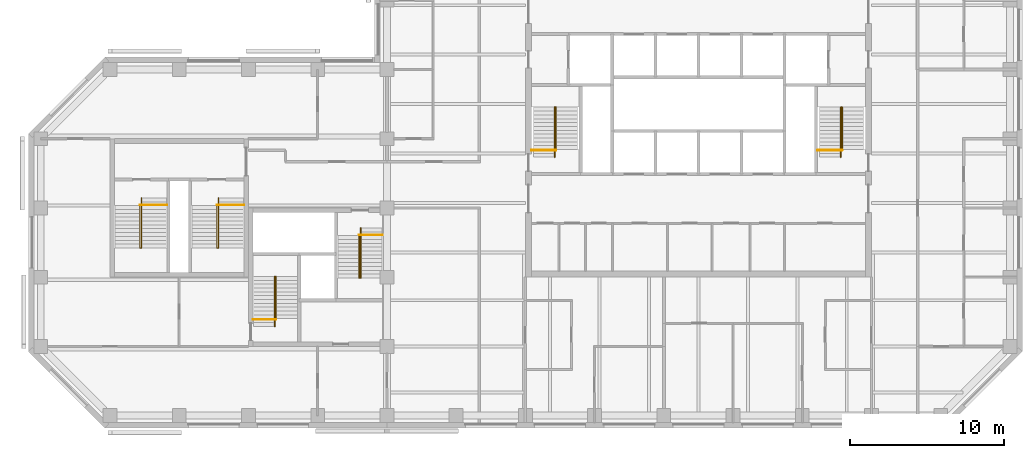
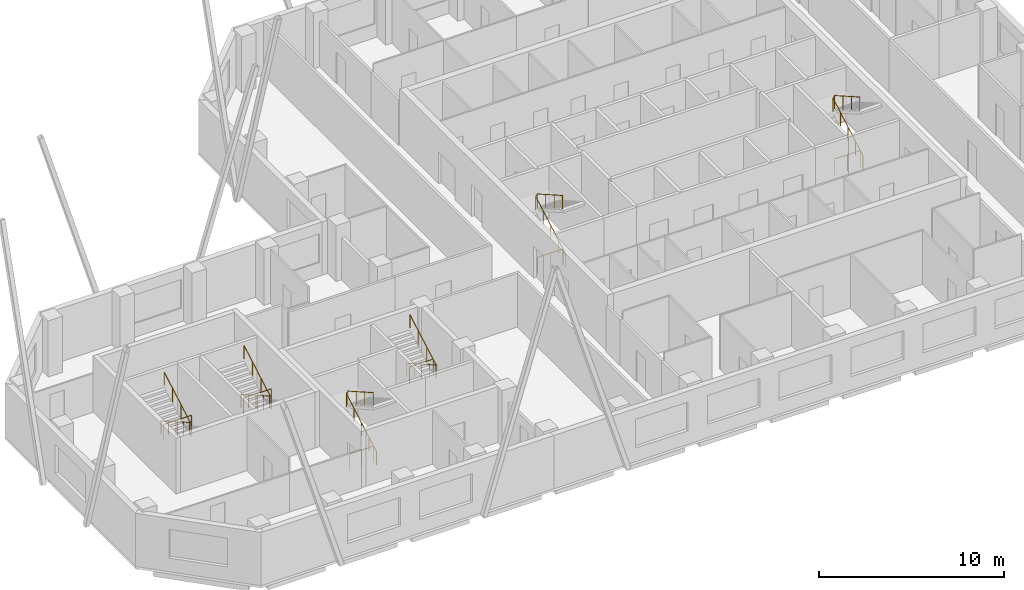
# One storey, part 10 of 10: 12 railings.
"""IFC4 building model written with IfcOpenShell, lengths in metres."""

from ifc_helpers import new_model, si_unit, direction, frame, origin, origin_2d, place, context, subcontext, project, spatial, circle, extrude, material, type_object, element, save


model = new_model("IFC4")

# Units and contexts
model_context = context("Model", 3, precision=1e-05, world=origin(), true_north=direction((0.0, 1.0)))
body_context = subcontext(model_context, "Body", "Model", "MODEL_VIEW")
ifc_project = project(units=[si_unit("LENGTHUNIT", "METRE"), si_unit("AREAUNIT", "SQUARE_METRE"), si_unit("VOLUMEUNIT", "CUBIC_METRE"), si_unit("PLANEANGLEUNIT", "RADIAN"), si_unit("MASSUNIT", "GRAM", prefix="KILO")], contexts=[model_context])

# Site, building, storey
site_placement = place(None, origin())
site = spatial("IfcSite", under=ifc_project, at=site_placement, CompositionType="ELEMENT")
building_placement = place(site_placement, origin())
building = spatial("IfcBuilding", under=site, at=building_placement, Name="Quoin Convention Tower", CompositionType="ELEMENT")
storey_placement = place(building_placement, frame((0.0, 0.0, 234.10009765625)))
storey = spatial("IfcBuildingStorey", under=building, at=storey_placement, Name="L61", CompositionType="ELEMENT", Elevation=234.10009765625)

# Railings
ifc_material = material(Name="Stainless steel", Category="steel")
railing_type_1 = type_object("IfcRailingType", Name="Stair handrail 900", PredefinedType="HANDRAIL", material=ifc_material)
railing_1_placement = place(storey_placement, frame((46.905029296875, 57.300048828125, 0.14208984375)))
element("IfcRailing", 1, at=railing_1_placement, inside=storey, type_object=railing_type_1, Name="SD1 handrail 1", PredefinedType="HANDRAIL", context=body_context, shape_type="SweptSolid", body=[
    extrude(circle(Radius=0.02392578125, at=origin_2d()), frame((0.0, 0.0, 0.8759765625), z_axis=(0.0, 0.869053504361, 0.494718108177), x_axis=(-1.0, 0.0, 0.0)), (0.0, 0.0, 1.0), 3.73974609375),
    extrude(circle(Radius=0.02392578125, at=origin_2d()), frame((0.0, 3.25, 2.72607421875), z_axis=(0.53481069233, 0.0, 0.844971906852), x_axis=(0.0, 1.0, 0.0)), (0.0, 0.0, 1.0), 0.16845703125),
    extrude(circle(Radius=0.02392578125, at=origin_2d()), frame((0.090087890625, 3.25, 2.8681640625), z_axis=(0.0, -0.869058607571, 0.494709143443), x_axis=(1.0, 0.0, 0.0)), (0.0, 0.0, 1.0), 3.164306640625),
    extrude(circle(Radius=0.02099609375, at=origin_2d()), origin(), (0.0, 0.0, 1.0), 0.851806640625),
    extrude(circle(Radius=0.02099609375, at=origin_2d()), frame((0.0, 0.8125, 0.46240234375)), (0.0, 0.0, 1.0), 0.851806640625),
    extrude(circle(Radius=0.02099609375, at=origin_2d()), frame((0.0, 1.625, 0.925048828125)), (0.0, 0.0, 1.0), 0.851806640625),
    extrude(circle(Radius=0.02099609375, at=origin_2d()), frame((0.0, 2.4375, 1.3876953125)), (0.0, 0.0, 1.0), 0.851806640625),
    extrude(circle(Radius=0.02099609375, at=origin_2d()), frame((0.0, 3.25, 1.85009765625)), (0.0, 0.0, 1.0), 0.851806640625),
    extrude(circle(Radius=0.02099609375, at=origin_2d()), frame((0.090087890625, 3.25, 1.992431640625)), (0.0, 0.0, 1.0), 0.851806640625),
    extrude(circle(Radius=0.02099609375, at=origin_2d()), frame((0.090087890625, 2.333251953125, 2.51416015625)), (0.0, 0.0, 1.0), 0.851806640625),
    extrude(circle(Radius=0.02099609375, at=origin_2d()), frame((0.090087890625, 1.416748046875, 3.0361328125)), (0.0, 0.0, 1.0), 0.851806640625),
    extrude(circle(Radius=0.02099609375, at=origin_2d()), frame((0.090087890625, 0.5, 3.557861328125)), (0.0, 0.0, 1.0), 0.851806640625),
])
railing_2_placement = place(storey_placement, frame((65.5048828125, 57.300048828125, 0.14208984375)))
element("IfcRailing", 2, at=railing_2_placement, inside=storey, type_object=railing_type_1, Name="SD2 handrail 1", PredefinedType="HANDRAIL", context=body_context, shape_type="SweptSolid", body=[
    extrude(circle(Radius=0.02392578125, at=origin_2d()), frame((0.0, 0.0, 0.8759765625), z_axis=(0.0, 0.869053504361, 0.494718108177), x_axis=(-1.0, 0.0, 0.0)), (0.0, 0.0, 1.0), 3.73974609375),
    extrude(circle(Radius=0.02392578125, at=origin_2d()), frame((0.0, 3.25, 2.72607421875), z_axis=(0.53481069233, 0.0, 0.844971906852), x_axis=(0.0, 1.0, 0.0)), (0.0, 0.0, 1.0), 0.16845703125),
    extrude(circle(Radius=0.02392578125, at=origin_2d()), frame((0.090087890625, 3.25, 2.8681640625), z_axis=(0.0, -0.869058607571, 0.494709143443), x_axis=(1.0, 0.0, 0.0)), (0.0, 0.0, 1.0), 3.164306640625),
    extrude(circle(Radius=0.02099609375, at=origin_2d()), origin(), (0.0, 0.0, 1.0), 0.851806640625),
    extrude(circle(Radius=0.02099609375, at=origin_2d()), frame((0.0, 0.8125, 0.46240234375)), (0.0, 0.0, 1.0), 0.851806640625),
    extrude(circle(Radius=0.02099609375, at=origin_2d()), frame((0.0, 1.625, 0.925048828125)), (0.0, 0.0, 1.0), 0.851806640625),
    extrude(circle(Radius=0.02099609375, at=origin_2d()), frame((0.0, 2.4375, 1.3876953125)), (0.0, 0.0, 1.0), 0.851806640625),
    extrude(circle(Radius=0.02099609375, at=origin_2d()), frame((0.0, 3.25, 1.85009765625)), (0.0, 0.0, 1.0), 0.851806640625),
    extrude(circle(Radius=0.02099609375, at=origin_2d()), frame((0.090087890625, 3.25, 1.992431640625)), (0.0, 0.0, 1.0), 0.851806640625),
    extrude(circle(Radius=0.02099609375, at=origin_2d()), frame((0.090087890625, 2.333251953125, 2.51416015625)), (0.0, 0.0, 1.0), 0.851806640625),
    extrude(circle(Radius=0.02099609375, at=origin_2d()), frame((0.090087890625, 1.416748046875, 3.0361328125)), (0.0, 0.0, 1.0), 0.851806640625),
    extrude(circle(Radius=0.02099609375, at=origin_2d()), frame((0.090087890625, 0.5, 3.557861328125)), (0.0, 0.0, 1.0), 0.851806640625),
])
railing_3_placement = place(storey_placement, frame((28.705078125, 46.300048828125, 0.14208984375)))
element("IfcRailing", 3, at=railing_3_placement, inside=storey, type_object=railing_type_1, Name="SD3 handrail 1", PredefinedType="HANDRAIL", context=body_context, shape_type="SweptSolid", body=[
    extrude(circle(Radius=0.02392578125, at=origin_2d()), frame((0.0, 0.0, 0.8759765625), z_axis=(0.0, 0.869053504361, 0.494718108177), x_axis=(-1.0, 0.0, 0.0)), (0.0, 0.0, 1.0), 3.73974609375),
    extrude(circle(Radius=0.02392578125, at=origin_2d()), frame((0.0, 3.25, 2.72607421875), z_axis=(0.533774684331, 0.0, 0.845626741753), x_axis=(0.0, 1.0, 0.0)), (0.0, 0.0, 1.0), 0.168212890625),
    extrude(circle(Radius=0.02392578125, at=origin_2d()), frame((0.08984375, 3.25, 2.8681640625), z_axis=(0.0, -0.869058607571, 0.494709143443), x_axis=(1.0, 0.0, 0.0)), (0.0, 0.0, 1.0), 3.164306640625),
    extrude(circle(Radius=0.02099609375, at=origin_2d()), origin(), (0.0, 0.0, 1.0), 0.851806640625),
    extrude(circle(Radius=0.02099609375, at=origin_2d()), frame((0.0, 0.8125, 0.46240234375)), (0.0, 0.0, 1.0), 0.851806640625),
    extrude(circle(Radius=0.02099609375, at=origin_2d()), frame((0.0, 1.625, 0.925048828125)), (0.0, 0.0, 1.0), 0.851806640625),
    extrude(circle(Radius=0.02099609375, at=origin_2d()), frame((0.0, 2.4375, 1.3876953125)), (0.0, 0.0, 1.0), 0.851806640625),
    extrude(circle(Radius=0.02099609375, at=origin_2d()), frame((0.0, 3.25, 1.85009765625)), (0.0, 0.0, 1.0), 0.851806640625),
    extrude(circle(Radius=0.02099609375, at=origin_2d()), frame((0.08984375, 3.25, 1.992431640625)), (0.0, 0.0, 1.0), 0.851806640625),
    extrude(circle(Radius=0.02099609375, at=origin_2d()), frame((0.08984375, 2.333251953125, 2.51416015625)), (0.0, 0.0, 1.0), 0.851806640625),
    extrude(circle(Radius=0.02099609375, at=origin_2d()), frame((0.08984375, 1.416748046875, 3.0361328125)), (0.0, 0.0, 1.0), 0.851806640625),
    extrude(circle(Radius=0.02099609375, at=origin_2d()), frame((0.08984375, 0.5, 3.557861328125)), (0.0, 0.0, 1.0), 0.851806640625),
])
railing_4_placement = place(storey_placement, frame((34.294921875, 52.699951171875, 0.14208984375)))
element("IfcRailing", 4, at=railing_4_placement, inside=storey, type_object=railing_type_1, Name="SD4 handrail 1", PredefinedType="HANDRAIL", context=body_context, shape_type="SweptSolid", body=[
    extrude(circle(Radius=0.02392578125, at=origin_2d()), frame((0.0, 0.0, 0.8759765625), z_axis=(0.0, -0.869053504361, 0.494718108177), x_axis=(1.0, 0.0, 0.0)), (0.0, 0.0, 1.0), 3.73974609375),
    extrude(circle(Radius=0.02392578125, at=origin_2d()), frame((0.0, -3.25, 2.72607421875), z_axis=(-0.533774684331, 0.0, 0.845626741753), x_axis=(0.0, -1.0, 0.0)), (0.0, 0.0, 1.0), 0.168212890625),
    extrude(circle(Radius=0.02392578125, at=origin_2d()), frame((-0.08984375, -3.25, 2.8681640625), z_axis=(0.0, 0.869058607571, 0.494709143443), x_axis=(-1.0, 0.0, 0.0)), (0.0, 0.0, 1.0), 3.164306640625),
    extrude(circle(Radius=0.02099609375, at=origin_2d()), origin(), (0.0, 0.0, 1.0), 0.851806640625),
    extrude(circle(Radius=0.02099609375, at=origin_2d()), frame((0.0, -0.8125, 0.46240234375)), (0.0, 0.0, 1.0), 0.851806640625),
    extrude(circle(Radius=0.02099609375, at=origin_2d()), frame((0.0, -1.625, 0.925048828125)), (0.0, 0.0, 1.0), 0.851806640625),
    extrude(circle(Radius=0.02099609375, at=origin_2d()), frame((0.0, -2.4375, 1.3876953125)), (0.0, 0.0, 1.0), 0.851806640625),
    extrude(circle(Radius=0.02099609375, at=origin_2d()), frame((0.0, -3.25, 1.85009765625)), (0.0, 0.0, 1.0), 0.851806640625),
    extrude(circle(Radius=0.02099609375, at=origin_2d()), frame((-0.08984375, -3.25, 1.992431640625)), (0.0, 0.0, 1.0), 0.851806640625),
    extrude(circle(Radius=0.02099609375, at=origin_2d()), frame((-0.08984375, -2.333251953125, 2.51416015625)), (0.0, 0.0, 1.0), 0.851806640625),
    extrude(circle(Radius=0.02099609375, at=origin_2d()), frame((-0.08984375, -1.416748046875, 3.0361328125)), (0.0, 0.0, 1.0), 0.851806640625),
    extrude(circle(Radius=0.02099609375, at=origin_2d()), frame((-0.08984375, -0.5, 3.557861328125)), (0.0, 0.0, 1.0), 0.851806640625),
])
railing_5_placement = place(storey_placement, frame((20.044921875, 54.64990234375, 0.14208984375)))
element("IfcRailing", 5, at=railing_5_placement, inside=storey, type_object=railing_type_1, Name="SD11 handrail 1", PredefinedType="HANDRAIL", context=body_context, shape_type="SweptSolid", body=[
    extrude(circle(Radius=0.02392578125, at=origin_2d()), frame((0.0, 0.0, 0.8759765625), z_axis=(0.0, -0.869053504361, 0.494718108177), x_axis=(1.0, 0.0, 0.0)), (0.0, 0.0, 1.0), 3.73974609375),
    extrude(circle(Radius=0.02392578125, at=origin_2d()), frame((0.0, -3.25, 2.72607421875), z_axis=(-0.533774684331, 0.0, 0.845626741753), x_axis=(0.0, -1.0, 0.0)), (0.0, 0.0, 1.0), 0.168212890625),
    extrude(circle(Radius=0.02392578125, at=origin_2d()), frame((-0.08984375, -3.25, 2.8681640625), z_axis=(0.0, 0.869058607571, 0.494709143443), x_axis=(-1.0, 0.0, 0.0)), (0.0, 0.0, 1.0), 3.164306640625),
    extrude(circle(Radius=0.02099609375, at=origin_2d()), origin(), (0.0, 0.0, 1.0), 0.851806640625),
    extrude(circle(Radius=0.02099609375, at=origin_2d()), frame((0.0, -0.8125, 0.46240234375)), (0.0, 0.0, 1.0), 0.851806640625),
    extrude(circle(Radius=0.02099609375, at=origin_2d()), frame((0.0, -1.625, 0.925048828125)), (0.0, 0.0, 1.0), 0.851806640625),
    extrude(circle(Radius=0.02099609375, at=origin_2d()), frame((0.0, -2.4375, 1.3876953125)), (0.0, 0.0, 1.0), 0.851806640625),
    extrude(circle(Radius=0.02099609375, at=origin_2d()), frame((0.0, -3.25, 1.85009765625)), (0.0, 0.0, 1.0), 0.851806640625),
    extrude(circle(Radius=0.02099609375, at=origin_2d()), frame((-0.08984375, -3.25, 1.992431640625)), (0.0, 0.0, 1.0), 0.851806640625),
    extrude(circle(Radius=0.02099609375, at=origin_2d()), frame((-0.08984375, -2.333251953125, 2.51416015625)), (0.0, 0.0, 1.0), 0.851806640625),
    extrude(circle(Radius=0.02099609375, at=origin_2d()), frame((-0.08984375, -1.416748046875, 3.0361328125)), (0.0, 0.0, 1.0), 0.851806640625),
    extrude(circle(Radius=0.02099609375, at=origin_2d()), frame((-0.08984375, -0.5, 3.557861328125)), (0.0, 0.0, 1.0), 0.851806640625),
])
railing_6_placement = place(storey_placement, frame((25.044921875, 54.64990234375, 0.14208984375)))
element("IfcRailing", 6, at=railing_6_placement, inside=storey, type_object=railing_type_1, Name="SD12 handrail 1", PredefinedType="HANDRAIL", context=body_context, shape_type="SweptSolid", body=[
    extrude(circle(Radius=0.02392578125, at=origin_2d()), frame((0.0, 0.0, 0.8759765625), z_axis=(0.0, -0.869053504361, 0.494718108177), x_axis=(1.0, 0.0, 0.0)), (0.0, 0.0, 1.0), 3.73974609375),
    extrude(circle(Radius=0.02392578125, at=origin_2d()), frame((0.0, -3.25, 2.72607421875), z_axis=(-0.533774684331, 0.0, 0.845626741753), x_axis=(0.0, -1.0, 0.0)), (0.0, 0.0, 1.0), 0.168212890625),
    extrude(circle(Radius=0.02392578125, at=origin_2d()), frame((-0.08984375, -3.25, 2.8681640625), z_axis=(0.0, 0.869058607571, 0.494709143443), x_axis=(-1.0, 0.0, 0.0)), (0.0, 0.0, 1.0), 3.164306640625),
    extrude(circle(Radius=0.02099609375, at=origin_2d()), origin(), (0.0, 0.0, 1.0), 0.851806640625),
    extrude(circle(Radius=0.02099609375, at=origin_2d()), frame((0.0, -0.8125, 0.46240234375)), (0.0, 0.0, 1.0), 0.851806640625),
    extrude(circle(Radius=0.02099609375, at=origin_2d()), frame((0.0, -1.625, 0.925048828125)), (0.0, 0.0, 1.0), 0.851806640625),
    extrude(circle(Radius=0.02099609375, at=origin_2d()), frame((0.0, -2.4375, 1.3876953125)), (0.0, 0.0, 1.0), 0.851806640625),
    extrude(circle(Radius=0.02099609375, at=origin_2d()), frame((0.0, -3.25, 1.85009765625)), (0.0, 0.0, 1.0), 0.851806640625),
    extrude(circle(Radius=0.02099609375, at=origin_2d()), frame((-0.08984375, -3.25, 1.992431640625)), (0.0, 0.0, 1.0), 0.851806640625),
    extrude(circle(Radius=0.02099609375, at=origin_2d()), frame((-0.08984375, -2.333251953125, 2.51416015625)), (0.0, 0.0, 1.0), 0.851806640625),
    extrude(circle(Radius=0.02099609375, at=origin_2d()), frame((-0.08984375, -1.416748046875, 3.0361328125)), (0.0, 0.0, 1.0), 0.851806640625),
    extrude(circle(Radius=0.02099609375, at=origin_2d()), frame((-0.08984375, -0.5, 3.557861328125)), (0.0, 0.0, 1.0), 0.851806640625),
])
railing_type_2 = type_object("IfcRailingType", Name="Stair top guard 1100", PredefinedType="GUARDRAIL", material=ifc_material)
railing_7_placement = place(storey_placement, frame((45.39990234375, 57.75, 0.0)))
element("IfcRailing", 7, at=railing_7_placement, inside=storey, type_object=railing_type_2, Name="SD1 top guard", PredefinedType="GUARDRAIL", context=body_context, shape_type="SweptSolid", body=[
    extrude(circle(Radius=0.02392578125, at=origin_2d()), frame((0.0, 0.0, 1.076171875), z_axis=(1.0, 0.0, 0.0), x_axis=(0.0, 1.0, 0.0)), (0.0, 0.0, 1.0), 1.59521484375),
    extrude(circle(Radius=0.02099609375, at=origin_2d()), origin(), (0.0, 0.0, 1.0), 1.052001953125),
    extrude(circle(Radius=0.02099609375, at=origin_2d()), frame((0.797607421875, 0.0, 0.0)), (0.0, 0.0, 1.0), 1.052001953125),
    extrude(circle(Radius=0.02099609375, at=origin_2d()), frame((1.59521484375, 0.0, 0.0)), (0.0, 0.0, 1.0), 1.052001953125),
])
railing_8_placement = place(storey_placement, frame((64.0, 57.75, 0.0)))
element("IfcRailing", 8, at=railing_8_placement, inside=storey, type_object=railing_type_2, Name="SD2 top guard", PredefinedType="GUARDRAIL", context=body_context, shape_type="SweptSolid", body=[
    extrude(circle(Radius=0.02392578125, at=origin_2d()), frame((0.0, 0.0, 1.076171875), z_axis=(1.0, 0.0, 0.0), x_axis=(0.0, 1.0, 0.0)), (0.0, 0.0, 1.0), 1.594970703125),
    extrude(circle(Radius=0.02099609375, at=origin_2d()), origin(), (0.0, 0.0, 1.0), 1.052001953125),
    extrude(circle(Radius=0.02099609375, at=origin_2d()), frame((0.79736328125, 0.0, 0.0)), (0.0, 0.0, 1.0), 1.052001953125),
    extrude(circle(Radius=0.02099609375, at=origin_2d()), frame((1.594970703125, 0.0, 0.0)), (0.0, 0.0, 1.0), 1.052001953125),
])
railing_9_placement = place(storey_placement, frame((27.300048828125, 46.75, 0.0)))
element("IfcRailing", 9, at=railing_9_placement, inside=storey, type_object=railing_type_2, Name="SD3 top guard", PredefinedType="GUARDRAIL", context=body_context, shape_type="SweptSolid", body=[
    extrude(circle(Radius=0.02392578125, at=origin_2d()), frame((0.0, 0.0, 1.076171875), z_axis=(1.0, 0.0, 0.0), x_axis=(0.0, 1.0, 0.0)), (0.0, 0.0, 1.0), 1.494873046875),
    extrude(circle(Radius=0.02099609375, at=origin_2d()), origin(), (0.0, 0.0, 1.0), 1.052001953125),
    extrude(circle(Radius=0.02099609375, at=origin_2d()), frame((0.74755859375, 0.0, 0.0)), (0.0, 0.0, 1.0), 1.052001953125),
    extrude(circle(Radius=0.02099609375, at=origin_2d()), frame((1.494873046875, 0.0, 0.0)), (0.0, 0.0, 1.0), 1.052001953125),
])
railing_10_placement = place(storey_placement, frame((35.699951171875, 52.25, 0.0)))
element("IfcRailing", 10, at=railing_10_placement, inside=storey, type_object=railing_type_2, Name="SD4 top guard", PredefinedType="GUARDRAIL", context=body_context, shape_type="SweptSolid", body=[
    extrude(circle(Radius=0.02392578125, at=origin_2d()), frame((0.0, 0.0, 1.076171875), z_axis=(-1.0, 0.0, 0.0), x_axis=(0.0, -1.0, 0.0)), (0.0, 0.0, 1.0), 1.494873046875),
    extrude(circle(Radius=0.02099609375, at=origin_2d()), origin(), (0.0, 0.0, 1.0), 1.052001953125),
    extrude(circle(Radius=0.02099609375, at=origin_2d()), frame((-0.74755859375, 0.0, 0.0)), (0.0, 0.0, 1.0), 1.052001953125),
    extrude(circle(Radius=0.02099609375, at=origin_2d()), frame((-1.494873046875, 0.0, 0.0)), (0.0, 0.0, 1.0), 1.052001953125),
])
for number, where, name in (
    (11, (21.699951171875, 54.199951171875, 0.0), "SD11 top guard"),
    (12, (26.699951171875, 54.199951171875, 0.0), "SD12 top guard"),
):
    element("IfcRailing", number, at=place(storey_placement, frame(where)), inside=storey, type_object=railing_type_2, Name=name, PredefinedType="GUARDRAIL", context=body_context, shape_type="SweptSolid", body=[
        extrude(circle(Radius=0.02392578125, at=origin_2d()), frame((0.0, 0.0, 1.076171875), z_axis=(-1.0, 0.0, 0.0), x_axis=(0.0, -1.0, 0.0)), (0.0, 0.0, 1.0), 1.744873046875),
        extrude(circle(Radius=0.02099609375, at=origin_2d()), origin(), (0.0, 0.0, 1.0), 1.052001953125),
        extrude(circle(Radius=0.02099609375, at=origin_2d()), frame((-0.87255859375, 0.0, 0.0)), (0.0, 0.0, 1.0), 1.052001953125),
        extrude(circle(Radius=0.02099609375, at=origin_2d()), frame((-1.744873046875, 0.0, 0.0)), (0.0, 0.0, 1.0), 1.052001953125),
    ])

save(model, "model.ifc")
